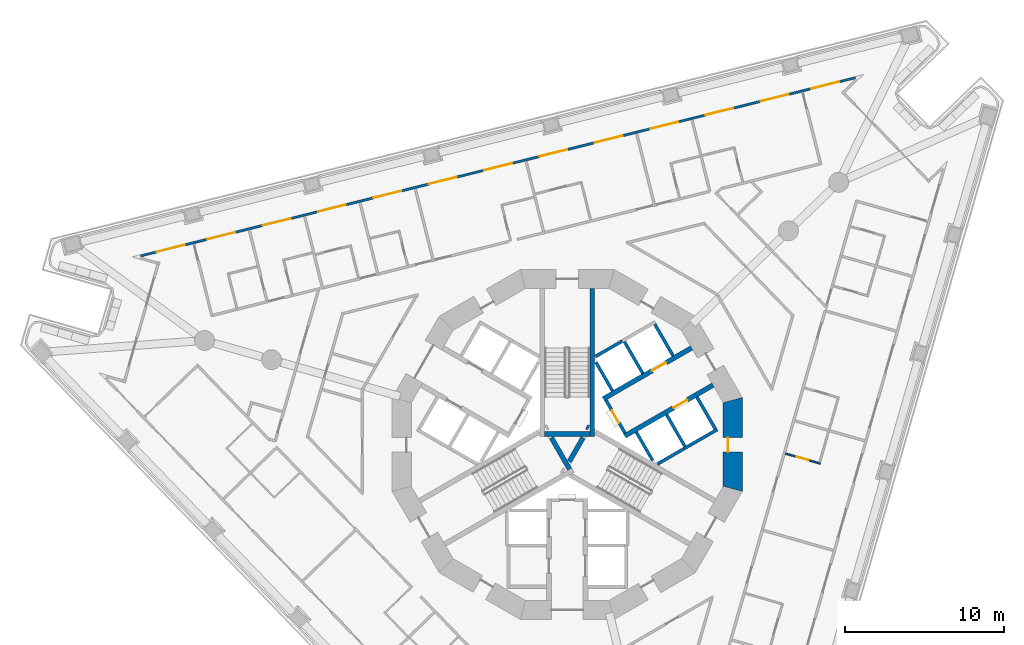
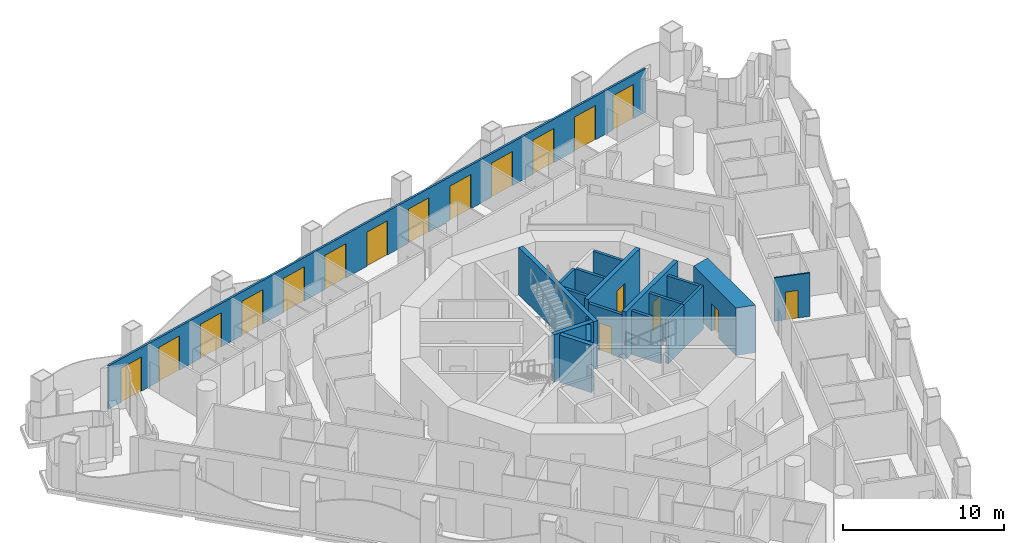
# One storey, part 8 of 18: 20 walls, 18 doors, 18 openings.
"""IFC4 building model written with IfcOpenShell, lengths in metres."""

from ifc_helpers import new_model, si_unit, direction, frame, frame_2d, origin, place, context, subcontext, project, spatial, polyline, rectangle, outline, extrude, material, layer, layer_set, type_object, element, fill, save


model = new_model("IFC4")

# Units and contexts
model_context = context("Model", 3, precision=1e-05, world=origin(), true_north=direction((0.0, 1.0)))
body_context = subcontext(model_context, "Body", "Model", "MODEL_VIEW")
ifc_project = project(units=[si_unit("LENGTHUNIT", "METRE"), si_unit("AREAUNIT", "SQUARE_METRE"), si_unit("VOLUMEUNIT", "CUBIC_METRE"), si_unit("PLANEANGLEUNIT", "RADIAN"), si_unit("MASSUNIT", "GRAM", prefix="KILO")], contexts=[model_context])

# Site, building, storey
site_placement = place(None, origin())
site = spatial("IfcSite", under=ifc_project, at=site_placement, CompositionType="ELEMENT")
building_placement = place(site_placement, origin())
building = spatial("IfcBuilding", under=site, at=building_placement, Name="Trine Commons Tower", CompositionType="ELEMENT")
storey_placement = place(building_placement, frame((0.0, 0.0, 90.89990234375)))
storey = spatial("IfcBuildingStorey", under=building, at=storey_placement, Name="L22", CompositionType="ELEMENT", Elevation=90.89990234375)

# Wall, openings, doors
ifc_material_1 = material(Name="Aluminium-framed insulated wall panel", Category="aluminium")
ifc_layer_1 = layer(ifc_material_1, 0.14990234375)
ifc_layer_set_1 = layer_set([ifc_layer_1], Name="Aluminium-framed insulated wall panel")
wall_type_1 = type_object("IfcWallType", Name="Glazed frame wall 150, EI 60", PredefinedType="SOLIDWALL", material=ifc_layer_set_1)
wall_1_placement = place(storey_placement, frame((53.01416015625, 74.326904296875, 0.0), z_axis=(0.0, 0.0, 1.0), x_axis=(0.970295935704, 0.24192105563, 0.0)))
wall_1 = element("IfcWall", 1, at=wall_1_placement, inside=storey, type_object=wall_type_1, Name="Glazed frame wall F1", PredefinedType="SOLIDWALL", context=body_context, shape_type="SweptSolid", body=[
    extrude(outline(polyline([(0.1494140625, 0.074951171875), (0.1494140625, -0.074951171875), (46.496826171875, -0.074951171875), (46.496826171875, 0.074951171875), (0.1494140625, 0.074951171875)])), origin(), (0.0, 0.0, 1.0), 3.300048828125),
])
opening_1_placement = place(wall_1_placement, frame((1.194091796875, 0.0, 0.0)))
opening_1 = element("IfcOpeningElement", 2, at=opening_1_placement, cuts=wall_1, Name="Opening BD-3F1-01", PredefinedType="OPENING", context=body_context, shape_type="SweptSolid", body=[
    extrude(rectangle(XDim=1.800048828125, YDim=2.60009765625, at=frame_2d((0.89990234375, 1.300048828125))), frame((0.0, 0.0849609375, 0.0), z_axis=(0.0, -1.0, 0.0), x_axis=(1.0, 0.0, 0.0)), (0.0, 0.0, 1.0), 0.169921875),
])
opening_2_placement = place(wall_1_placement, frame((4.482421875, 0.0, 0.0)))
opening_2 = element("IfcOpeningElement", 3, at=opening_2_placement, cuts=wall_1, Name="Opening BD-3F1-02", PredefinedType="OPENING", context=body_context, shape_type="SweptSolid", body=[
    extrude(rectangle(XDim=1.800048828125, YDim=2.60009765625, at=frame_2d((0.89990234375, 1.300048828125))), frame((0.0, 0.0849609375, 0.0), z_axis=(0.0, -1.0, 0.0), x_axis=(1.0, 0.0, 0.0)), (0.0, 0.0, 1.0), 0.169921875),
])
opening_3_placement = place(wall_1_placement, frame((8.070556640625, 0.0, 0.0)))
opening_3 = element("IfcOpeningElement", 4, at=opening_3_placement, cuts=wall_1, Name="Opening BD-3F1-03", PredefinedType="OPENING", context=body_context, shape_type="SweptSolid", body=[
    extrude(rectangle(XDim=1.800048828125, YDim=2.60009765625, at=frame_2d((0.89990234375, 1.300048828125))), frame((0.0, 0.0849609375, 0.0), z_axis=(0.0, -1.0, 0.0), x_axis=(1.0, 0.0, 0.0)), (0.0, 0.0, 1.0), 0.169921875),
])
opening_4_placement = place(wall_1_placement, frame((11.65869140625, 0.0, 0.0)))
opening_4 = element("IfcOpeningElement", 5, at=opening_4_placement, cuts=wall_1, Name="Opening BD-3F1-04", PredefinedType="OPENING", context=body_context, shape_type="SweptSolid", body=[
    extrude(rectangle(XDim=1.800048828125, YDim=2.60009765625, at=frame_2d((0.89990234375, 1.300048828125))), frame((0.0, 0.0849609375, 0.0), z_axis=(0.0, -1.0, 0.0), x_axis=(1.0, 0.0, 0.0)), (0.0, 0.0, 1.0), 0.169921875),
])
opening_5_placement = place(wall_1_placement, frame((15.246826171875, 0.0, 0.0)))
opening_5 = element("IfcOpeningElement", 6, at=opening_5_placement, cuts=wall_1, Name="Opening BD-3F1-05", PredefinedType="OPENING", context=body_context, shape_type="SweptSolid", body=[
    extrude(rectangle(XDim=1.800048828125, YDim=2.60009765625, at=frame_2d((0.89990234375, 1.300048828125))), frame((0.0, 0.0849609375, 0.0), z_axis=(0.0, -1.0, 0.0), x_axis=(1.0, 0.0, 0.0)), (0.0, 0.0, 1.0), 0.169921875),
])
opening_6_placement = place(wall_1_placement, frame((18.835205078125, 0.0, 0.0)))
opening_6 = element("IfcOpeningElement", 7, at=opening_6_placement, cuts=wall_1, Name="Opening BD-3F1-06", PredefinedType="OPENING", context=body_context, shape_type="SweptSolid", body=[
    extrude(rectangle(XDim=1.800048828125, YDim=2.60009765625, at=frame_2d((0.89990234375, 1.300048828125))), frame((0.0, 0.0849609375, 0.0), z_axis=(0.0, -1.0, 0.0), x_axis=(1.0, 0.0, 0.0)), (0.0, 0.0, 1.0), 0.169921875),
])
opening_7_placement = place(wall_1_placement, frame((22.42333984375, 0.0, 0.0)))
opening_7 = element("IfcOpeningElement", 8, at=opening_7_placement, cuts=wall_1, Name="Opening BD-3F1-07", PredefinedType="OPENING", context=body_context, shape_type="SweptSolid", body=[
    extrude(rectangle(XDim=1.800048828125, YDim=2.60009765625, at=frame_2d((0.89990234375, 1.300048828125))), frame((0.0, 0.0849609375, 0.0), z_axis=(0.0, -1.0, 0.0), x_axis=(1.0, 0.0, 0.0)), (0.0, 0.0, 1.0), 0.169921875),
])
opening_8_placement = place(wall_1_placement, frame((26.011474609375, 0.0, 0.0)))
opening_8 = element("IfcOpeningElement", 9, at=opening_8_placement, cuts=wall_1, Name="Opening BD-3F1-08", PredefinedType="OPENING", context=body_context, shape_type="SweptSolid", body=[
    extrude(rectangle(XDim=1.800048828125, YDim=2.60009765625, at=frame_2d((0.89990234375, 1.300048828125))), frame((0.0, 0.0849609375, 0.0), z_axis=(0.0, -1.0, 0.0), x_axis=(1.0, 0.0, 0.0)), (0.0, 0.0, 1.0), 0.169921875),
])
opening_9_placement = place(wall_1_placement, frame((29.599609375, 0.0, 0.0)))
opening_9 = element("IfcOpeningElement", 10, at=opening_9_placement, cuts=wall_1, Name="Opening BD-3F1-09", PredefinedType="OPENING", context=body_context, shape_type="SweptSolid", body=[
    extrude(rectangle(XDim=1.800048828125, YDim=2.60009765625, at=frame_2d((0.89990234375, 1.300048828125))), frame((0.0, 0.0849609375, 0.0), z_axis=(0.0, -1.0, 0.0), x_axis=(1.0, 0.0, 0.0)), (0.0, 0.0, 1.0), 0.169921875),
])
opening_10_placement = place(wall_1_placement, frame((33.18798828125, 0.0, 0.0)))
opening_10 = element("IfcOpeningElement", 11, at=opening_10_placement, cuts=wall_1, Name="Opening BD-3F1-10", PredefinedType="OPENING", context=body_context, shape_type="SweptSolid", body=[
    extrude(rectangle(XDim=1.800048828125, YDim=2.60009765625, at=frame_2d((0.89990234375, 1.300048828125))), frame((0.0, 0.0849609375, 0.0), z_axis=(0.0, -1.0, 0.0), x_axis=(1.0, 0.0, 0.0)), (0.0, 0.0, 1.0), 0.169921875),
])
opening_11_placement = place(wall_1_placement, frame((36.776123046875, 0.0, 0.0)))
opening_11 = element("IfcOpeningElement", 12, at=opening_11_placement, cuts=wall_1, Name="Opening BD-3F1-11", PredefinedType="OPENING", context=body_context, shape_type="SweptSolid", body=[
    extrude(rectangle(XDim=1.800048828125, YDim=2.60009765625, at=frame_2d((0.89990234375, 1.300048828125))), frame((0.0, 0.0849609375, 0.0), z_axis=(0.0, -1.0, 0.0), x_axis=(1.0, 0.0, 0.0)), (0.0, 0.0, 1.0), 0.169921875),
])
opening_12_placement = place(wall_1_placement, frame((40.3642578125, 0.0, 0.0)))
opening_12 = element("IfcOpeningElement", 13, at=opening_12_placement, cuts=wall_1, Name="Opening BD-3F1-12", PredefinedType="OPENING", context=body_context, shape_type="SweptSolid", body=[
    extrude(rectangle(XDim=1.800048828125, YDim=2.60009765625, at=frame_2d((0.89990234375, 1.300048828125))), frame((0.0, 0.0849609375, 0.0), z_axis=(0.0, -1.0, 0.0), x_axis=(1.0, 0.0, 0.0)), (0.0, 0.0, 1.0), 0.169921875),
])
opening_13_placement = place(wall_1_placement, frame((43.652587890625, 0.0, 0.0)))
opening_13 = element("IfcOpeningElement", 14, at=opening_13_placement, cuts=wall_1, Name="Opening BD-3F1-13", PredefinedType="OPENING", context=body_context, shape_type="SweptSolid", body=[
    extrude(rectangle(XDim=1.800048828125, YDim=2.60009765625, at=frame_2d((0.89990234375, 1.300048828125))), frame((0.0, 0.0849609375, 0.0), z_axis=(0.0, -1.0, 0.0), x_axis=(1.0, 0.0, 0.0)), (0.0, 0.0, 1.0), 0.169921875),
])
ifc_material_2 = material(Name="Anodised aluminium frame with double glazing", Category="aluminium")
door_type_1 = type_object("IfcDoorType", Name="Sliding loggia door 1800x2600", OperationType="SLIDING_TO_LEFT", PredefinedType="DOOR", material=ifc_material_2)
door_1_placement = place(opening_1_placement, origin())
door_1 = element("IfcDoor", 15, at=door_1_placement, inside=storey, type_object=door_type_1, Name="Loggia door F1 1", OperationType="SLIDING_TO_LEFT", OverallHeight=2.60009765625, OverallWidth=1.800048828125, PredefinedType="DOOR", context=body_context, shape_type="SweptSolid", body=[
    extrude(rectangle(XDim=1.800048828125, YDim=2.60009765625, at=frame_2d((0.89990234375, 1.300048828125))), frame((0.0, 0.02490234375, 0.0), z_axis=(0.0, -1.0, 0.0), x_axis=(1.0, 0.0, 0.0)), (0.0, 0.0, 1.0), 0.050048828125),
])
fill(opening_1, door_1)
door_2_placement = place(opening_2_placement, origin())
door_2 = element("IfcDoor", 16, at=door_2_placement, inside=storey, type_object=door_type_1, Name="Loggia door F1 2", OperationType="SLIDING_TO_LEFT", OverallHeight=2.60009765625, OverallWidth=1.800048828125, PredefinedType="DOOR", context=body_context, shape_type="SweptSolid", body=[
    extrude(rectangle(XDim=1.800048828125, YDim=2.60009765625, at=frame_2d((0.89990234375, 1.300048828125))), frame((0.0, 0.02490234375, 0.0), z_axis=(0.0, -1.0, 0.0), x_axis=(1.0, 0.0, 0.0)), (0.0, 0.0, 1.0), 0.050048828125),
])
fill(opening_2, door_2)
door_3_placement = place(opening_3_placement, origin())
door_3 = element("IfcDoor", 17, at=door_3_placement, inside=storey, type_object=door_type_1, Name="Loggia door F1 3", OperationType="SLIDING_TO_LEFT", OverallHeight=2.60009765625, OverallWidth=1.800048828125, PredefinedType="DOOR", context=body_context, shape_type="SweptSolid", body=[
    extrude(rectangle(XDim=1.800048828125, YDim=2.60009765625, at=frame_2d((0.89990234375, 1.300048828125))), frame((0.0, 0.02490234375, 0.0), z_axis=(0.0, -1.0, 0.0), x_axis=(1.0, 0.0, 0.0)), (0.0, 0.0, 1.0), 0.050048828125),
])
fill(opening_3, door_3)
door_4_placement = place(opening_4_placement, origin())
door_4 = element("IfcDoor", 18, at=door_4_placement, inside=storey, type_object=door_type_1, Name="Loggia door F1 4", OperationType="SLIDING_TO_LEFT", OverallHeight=2.60009765625, OverallWidth=1.800048828125, PredefinedType="DOOR", context=body_context, shape_type="SweptSolid", body=[
    extrude(rectangle(XDim=1.800048828125, YDim=2.60009765625, at=frame_2d((0.89990234375, 1.300048828125))), frame((0.0, 0.02490234375, 0.0), z_axis=(0.0, -1.0, 0.0), x_axis=(1.0, 0.0, 0.0)), (0.0, 0.0, 1.0), 0.050048828125),
])
fill(opening_4, door_4)
door_5_placement = place(opening_5_placement, origin())
door_5 = element("IfcDoor", 19, at=door_5_placement, inside=storey, type_object=door_type_1, Name="Loggia door F1 5", OperationType="SLIDING_TO_LEFT", OverallHeight=2.60009765625, OverallWidth=1.800048828125, PredefinedType="DOOR", context=body_context, shape_type="SweptSolid", body=[
    extrude(rectangle(XDim=1.800048828125, YDim=2.60009765625, at=frame_2d((0.89990234375, 1.300048828125))), frame((0.0, 0.02490234375, 0.0), z_axis=(0.0, -1.0, 0.0), x_axis=(1.0, 0.0, 0.0)), (0.0, 0.0, 1.0), 0.050048828125),
])
fill(opening_5, door_5)
door_6_placement = place(opening_6_placement, origin())
door_6 = element("IfcDoor", 20, at=door_6_placement, inside=storey, type_object=door_type_1, Name="Loggia door F1 6", OperationType="SLIDING_TO_LEFT", OverallHeight=2.60009765625, OverallWidth=1.800048828125, PredefinedType="DOOR", context=body_context, shape_type="SweptSolid", body=[
    extrude(rectangle(XDim=1.800048828125, YDim=2.60009765625, at=frame_2d((0.89990234375, 1.300048828125))), frame((0.0, 0.02490234375, 0.0), z_axis=(0.0, -1.0, 0.0), x_axis=(1.0, 0.0, 0.0)), (0.0, 0.0, 1.0), 0.050048828125),
])
fill(opening_6, door_6)
door_7_placement = place(opening_7_placement, origin())
door_7 = element("IfcDoor", 21, at=door_7_placement, inside=storey, type_object=door_type_1, Name="Loggia door F1 7", OperationType="SLIDING_TO_LEFT", OverallHeight=2.60009765625, OverallWidth=1.800048828125, PredefinedType="DOOR", context=body_context, shape_type="SweptSolid", body=[
    extrude(rectangle(XDim=1.800048828125, YDim=2.60009765625, at=frame_2d((0.89990234375, 1.300048828125))), frame((0.0, 0.02490234375, 0.0), z_axis=(0.0, -1.0, 0.0), x_axis=(1.0, 0.0, 0.0)), (0.0, 0.0, 1.0), 0.050048828125),
])
fill(opening_7, door_7)
door_8_placement = place(opening_8_placement, origin())
door_8 = element("IfcDoor", 22, at=door_8_placement, inside=storey, type_object=door_type_1, Name="Loggia door F1 8", OperationType="SLIDING_TO_LEFT", OverallHeight=2.60009765625, OverallWidth=1.800048828125, PredefinedType="DOOR", context=body_context, shape_type="SweptSolid", body=[
    extrude(rectangle(XDim=1.800048828125, YDim=2.60009765625, at=frame_2d((0.89990234375, 1.300048828125))), frame((0.0, 0.02490234375, 0.0), z_axis=(0.0, -1.0, 0.0), x_axis=(1.0, 0.0, 0.0)), (0.0, 0.0, 1.0), 0.050048828125),
])
fill(opening_8, door_8)
door_9_placement = place(opening_9_placement, origin())
door_9 = element("IfcDoor", 23, at=door_9_placement, inside=storey, type_object=door_type_1, Name="Loggia door F1 9", OperationType="SLIDING_TO_LEFT", OverallHeight=2.60009765625, OverallWidth=1.800048828125, PredefinedType="DOOR", context=body_context, shape_type="SweptSolid", body=[
    extrude(rectangle(XDim=1.800048828125, YDim=2.60009765625, at=frame_2d((0.89990234375, 1.300048828125))), frame((0.0, 0.02490234375, 0.0), z_axis=(0.0, -1.0, 0.0), x_axis=(1.0, 0.0, 0.0)), (0.0, 0.0, 1.0), 0.050048828125),
])
fill(opening_9, door_9)
door_10_placement = place(opening_10_placement, origin())
door_10 = element("IfcDoor", 24, at=door_10_placement, inside=storey, type_object=door_type_1, Name="Loggia door F1 10", OperationType="SLIDING_TO_LEFT", OverallHeight=2.60009765625, OverallWidth=1.800048828125, PredefinedType="DOOR", context=body_context, shape_type="SweptSolid", body=[
    extrude(rectangle(XDim=1.800048828125, YDim=2.60009765625, at=frame_2d((0.89990234375, 1.300048828125))), frame((0.0, 0.02490234375, 0.0), z_axis=(0.0, -1.0, 0.0), x_axis=(1.0, 0.0, 0.0)), (0.0, 0.0, 1.0), 0.050048828125),
])
fill(opening_10, door_10)
door_11_placement = place(opening_11_placement, origin())
door_11 = element("IfcDoor", 25, at=door_11_placement, inside=storey, type_object=door_type_1, Name="Loggia door F1 11", OperationType="SLIDING_TO_LEFT", OverallHeight=2.60009765625, OverallWidth=1.800048828125, PredefinedType="DOOR", context=body_context, shape_type="SweptSolid", body=[
    extrude(rectangle(XDim=1.800048828125, YDim=2.60009765625, at=frame_2d((0.89990234375, 1.300048828125))), frame((0.0, 0.02490234375, 0.0), z_axis=(0.0, -1.0, 0.0), x_axis=(1.0, 0.0, 0.0)), (0.0, 0.0, 1.0), 0.050048828125),
])
fill(opening_11, door_11)
door_12_placement = place(opening_12_placement, origin())
door_12 = element("IfcDoor", 26, at=door_12_placement, inside=storey, type_object=door_type_1, Name="Loggia door F1 12", OperationType="SLIDING_TO_LEFT", OverallHeight=2.60009765625, OverallWidth=1.800048828125, PredefinedType="DOOR", context=body_context, shape_type="SweptSolid", body=[
    extrude(rectangle(XDim=1.800048828125, YDim=2.60009765625, at=frame_2d((0.89990234375, 1.300048828125))), frame((0.0, 0.02490234375, 0.0), z_axis=(0.0, -1.0, 0.0), x_axis=(1.0, 0.0, 0.0)), (0.0, 0.0, 1.0), 0.050048828125),
])
fill(opening_12, door_12)
door_13_placement = place(opening_13_placement, origin())
door_13 = element("IfcDoor", 27, at=door_13_placement, inside=storey, type_object=door_type_1, Name="Loggia door F1 13", OperationType="SLIDING_TO_LEFT", OverallHeight=2.60009765625, OverallWidth=1.800048828125, PredefinedType="DOOR", context=body_context, shape_type="SweptSolid", body=[
    extrude(rectangle(XDim=1.800048828125, YDim=2.60009765625, at=frame_2d((0.89990234375, 1.300048828125))), frame((0.0, 0.02490234375, 0.0), z_axis=(0.0, -1.0, 0.0), x_axis=(1.0, 0.0, 0.0)), (0.0, 0.0, 1.0), 0.050048828125),
])
fill(opening_13, door_13)

# Wall, opening, door
ifc_material_3 = material(Name="Fire-rated gypsum shaft wall system")
ifc_layer_2 = layer(ifc_material_3, 0.199951171875)
ifc_layer_set_2 = layer_set([ifc_layer_2], Name="Fire-rated gypsum shaft wall system")
wall_type_2 = type_object("IfcWallType", Name="Lobby end wall 200 mm, EI 120", PredefinedType="PARTITIONING", material=ifc_layer_set_2)
wall_2_placement = place(storey_placement, frame((83.631103515625, 63.2109375, 0.0), z_axis=(0.0, 0.0, 1.0), x_axis=(-0.50012165622, 0.865955154139, 0.0)))
wall_2 = element("IfcWall", 28, at=wall_2_placement, inside=storey, type_object=wall_type_2, Name="Lobby end wall L22", PredefinedType="PARTITIONING", context=body_context, shape_type="SweptSolid", body=[
    extrude(rectangle(XDim=2.39990234375, YDim=0.199951171875, at=frame_2d((1.199951171875, 0.0))), origin(), (0.0, 0.0, 1.0), 3.300048828125),
])
opening_14_placement = place(wall_2_placement, frame((0.749755859375, 0.0, 0.0)))
opening_14 = element("IfcOpeningElement", 29, at=opening_14_placement, cuts=wall_2, Name="Opening K05.05", PredefinedType="OPENING", context=body_context, shape_type="SweptSolid", body=[
    extrude(rectangle(XDim=0.89990234375, YDim=2.10009765625, at=frame_2d((0.449951171875, 1.050048828125))), frame((0.0, 0.10986328125, 0.0), z_axis=(0.0, -1.0, 0.0), x_axis=(1.0, 0.0, 0.0)), (0.0, 0.0, 1.0), 0.219970703125),
])
ifc_material_4 = material(Name="Steel door leaf, fire-rated", Category="steel")
door_type_2 = type_object("IfcDoorType", Name="Riser access door, single leaf 900 x 2100, FD60", OperationType="SINGLE_SWING_LEFT", PredefinedType="DOOR", material=ifc_material_4)
door_14_placement = place(opening_14_placement, frame((0.89990234375, 0.0, 0.0), z_axis=(0.0, 0.0, 1.0), x_axis=(-1.0, 0.0, 0.0)))
door_14 = element("IfcDoor", 30, at=door_14_placement, inside=storey, type_object=door_type_2, Name="Riser door, Electrical riser L22", OperationType="SINGLE_SWING_LEFT", OverallHeight=2.10009765625, OverallWidth=0.89990234375, PredefinedType="DOOR", context=body_context, shape_type="SweptSolid", body=[
    extrude(rectangle(XDim=0.89990234375, YDim=2.10009765625, at=frame_2d((0.449951171875, 1.050048828125))), frame((0.0, 0.02490234375, 0.0), z_axis=(0.0, -1.0, 0.0), x_axis=(1.0, 0.0, 0.0)), (0.0, 0.0, 1.0), 0.050048828125),
])
fill(opening_14, door_14)

ifc_material_5 = material(Name="Concrete C70/85", Category="concrete")
ifc_layer_3 = layer(ifc_material_5, 1.199951171875)
ifc_layer_set_3 = layer_set([ifc_layer_3], Name="Concrete C70/85")
wall_type_3 = type_object("IfcWallType", Name="RC shear wall 1200 mm, C70/85", PredefinedType="SHEAR", material=ifc_layer_set_3)
wall_3_placement = place(storey_placement, frame((90.41162109375, 59.549560546875, 0.0), z_axis=(0.0, 0.0, 1.0), x_axis=(0.0, 1.0, 0.0)))
wall_3 = element("IfcWall", 31, at=wall_3_placement, inside=storey, type_object=wall_type_3, Name="Core wall CWC-01 L22", PredefinedType="SHEAR", context=body_context, shape_type="SweptSolid", body=[
    extrude(outline(polyline([(0.0, -0.60009765625), (5.90087890625, -0.60009765625), (5.57958984375, 0.60009765625), (0.321533203125, 0.60009765625), (0.0, -0.60009765625)])), origin(), (0.0, 0.0, 1.0), 3.60009765625),
])
opening_15_placement = place(wall_3_placement, frame((2.4755859375, 0.0, 0.0)))
opening_15 = element("IfcOpeningElement", 32, at=opening_15_placement, cuts=wall_3, Name="Opening K05.16", PredefinedType="OPENING", context=body_context, shape_type="SweptSolid", body=[
    extrude(rectangle(XDim=0.89990234375, YDim=2.10009765625, at=frame_2d((0.449951171875, 1.050048828125))), frame((0.0, 0.60986328125, 0.0), z_axis=(0.0, -1.0, 0.0), x_axis=(1.0, 0.0, 0.0)), (0.0, 0.0, 1.0), 1.219970703125),
])
door_type_3 = type_object("IfcDoorType", Name="Core room door, single leaf 900 x 2100, FD30S", OperationType="SINGLE_SWING_LEFT", PredefinedType="DOOR", material=ifc_material_4)
door_15_placement = place(opening_15_placement, origin())
door_15 = element("IfcDoor", 33, at=door_15_placement, inside=storey, type_object=door_type_3, Name="Door to Accessible WC L22", OperationType="SINGLE_SWING_LEFT", OverallHeight=2.10009765625, OverallWidth=0.89990234375, PredefinedType="DOOR", context=body_context, shape_type="SweptSolid", body=[
    extrude(rectangle(XDim=0.89990234375, YDim=2.10009765625, at=frame_2d((0.449951171875, 1.050048828125))), frame((0.0, 0.3251953125, 0.0), z_axis=(0.0, -1.0, 0.0), x_axis=(1.0, 0.0, 0.0)), (0.0, 0.0, 1.0), 0.050048828125),
])
fill(opening_15, door_15)

ifc_layer_4 = layer(ifc_material_5, 0.300048828125)
ifc_layer_set_4 = layer_set([ifc_layer_4], Name="Concrete C70/85")
wall_type_4 = type_object("IfcWallType", Name="RC shear wall 300 mm, C70/85", PredefinedType="SHEAR", material=ifc_layer_set_4)
wall_4_placement = place(storey_placement, frame((82.26904296875, 65.368896484375, 0.0), z_axis=(0.0, 0.0, 1.0), x_axis=(0.866022631842, 0.500004801114, 0.0)))
wall_4 = element("IfcWall", 34, at=wall_4_placement, inside=storey, type_object=wall_type_4, Name="Core cross wall SWA-05 L22", PredefinedType="SHEAR", context=body_context, shape_type="SweptSolid", body=[
    extrude(rectangle(XDim=6.412109375, YDim=0.300048828125, at=frame_2d((3.2060546875, 0.0))), origin(), (0.0, 0.0, 1.0), 3.60009765625),
])
opening_16_placement = place(wall_4_placement, frame((3.55029296875, 0.0, 0.0)))
opening_16 = element("IfcOpeningElement", 35, at=opening_16_placement, cuts=wall_4, Name="Opening LD1", PredefinedType="OPENING", context=body_context, shape_type="SweptSolid", body=[
    extrude(rectangle(XDim=1.0, YDim=2.10009765625, at=frame_2d((0.5, 1.050048828125))), frame((0.0, 0.159912109375, 0.0), z_axis=(0.0, -1.0, 0.0), x_axis=(1.0, 0.0, 0.0)), (0.0, 0.0, 1.0), 0.320068359375),
])
ifc_material_6 = material(Name="Stainless steel sliding door leaves", Category="steel")
door_type_4 = type_object("IfcDoorType", Name="Lift landing door, centre-opening sliding 1000 x 2100, FD90", OperationType="DOUBLE_DOOR_SLIDING", PredefinedType="DOOR", material=ifc_material_6)
door_16_placement = place(opening_16_placement, origin())
door_16 = element("IfcDoor", 36, at=door_16_placement, inside=storey, type_object=door_type_4, Name="Lift landing door LR1 L22", OperationType="DOUBLE_DOOR_SLIDING", OverallHeight=2.10009765625, OverallWidth=1.0, PredefinedType="DOOR", context=body_context, shape_type="SweptSolid", body=[
    extrude(rectangle(XDim=1.0, YDim=2.10009765625, at=frame_2d((0.5, 1.050048828125))), frame((0.0, 0.02490234375, 0.0), z_axis=(0.0, -1.0, 0.0), x_axis=(1.0, 0.0, 0.0)), (0.0, 0.0, 1.0), 0.050048828125),
])
fill(opening_16, door_16)

wall_5_placement = place(storey_placement, frame((83.618896484375, 63.031005859375, 0.0), z_axis=(0.0, 0.0, 1.0), x_axis=(0.866032150378, 0.499988314375, 0.0)))
wall_5 = element("IfcWall", 37, at=wall_5_placement, inside=storey, type_object=wall_type_4, Name="Core cross wall SWA-06 L22", PredefinedType="SHEAR", context=body_context, shape_type="SweptSolid", body=[
    extrude(rectangle(XDim=6.412353515625, YDim=0.300048828125, at=frame_2d((3.2060546875, 0.0))), origin(), (0.0, 0.0, 1.0), 3.60009765625),
])
opening_17_placement = place(wall_5_placement, frame((3.55029296875, 0.0, 0.0)))
opening_17 = element("IfcOpeningElement", 38, at=opening_17_placement, cuts=wall_5, Name="Opening LD2", PredefinedType="OPENING", context=body_context, shape_type="SweptSolid", body=[
    extrude(rectangle(XDim=1.0, YDim=2.10009765625, at=frame_2d((0.5, 1.050048828125))), frame((0.0, 0.159912109375, 0.0), z_axis=(0.0, -1.0, 0.0), x_axis=(1.0, 0.0, 0.0)), (0.0, 0.0, 1.0), 0.320068359375),
])
door_17_placement = place(opening_17_placement, origin())
door_17 = element("IfcDoor", 39, at=door_17_placement, inside=storey, type_object=door_type_4, Name="Lift landing door LR2 L22", OperationType="DOUBLE_DOOR_SLIDING", OverallHeight=2.10009765625, OverallWidth=1.0, PredefinedType="DOOR", context=body_context, shape_type="SweptSolid", body=[
    extrude(rectangle(XDim=1.0, YDim=2.10009765625, at=frame_2d((0.5, 1.050048828125))), frame((0.0, 0.02490234375, 0.0), z_axis=(0.0, -1.0, 0.0), x_axis=(1.0, 0.0, 0.0)), (0.0, 0.0, 1.0), 0.050048828125),
])
fill(opening_17, door_17)

# Walls
wall_6_placement = place(storey_placement, frame((79.0029296875, 62.926025390625, 0.0), z_axis=(0.0, 0.0, 1.0), x_axis=(0.499965247104, -0.866045467449, 0.0)))
element("IfcWall", 40, at=wall_6_placement, inside=storey, type_object=wall_type_4, Name="Core cross wall SWA-10 L22", PredefinedType="SHEAR", context=body_context, shape_type="SweptSolid", body=[
    extrude(rectangle(XDim=2.292236328125, YDim=0.300048828125, at=frame_2d((1.14599609375, 0.0))), origin(), (0.0, 0.0, 1.0), 3.60009765625),
])
wall_7_placement = place(storey_placement, frame((80.1298828125, 61.424072265625, 0.0), z_axis=(0.0, 0.0, 1.0), x_axis=(0.500014901547, 0.866016800201, 0.0)))
element("IfcWall", 41, at=wall_7_placement, inside=storey, type_object=wall_type_4, Name="Core cross wall SWA-12 L22", PredefinedType="SHEAR", context=body_context, shape_type="SweptSolid", body=[
    extrude(rectangle(XDim=1.734375, YDim=0.300048828125, at=frame_2d((0.8671875, 0.0))), origin(), (0.0, 0.0, 1.0), 3.60009765625),
])
wall_8_placement = place(storey_placement, frame((81.220947265625, 63.614013671875, 0.0), z_axis=(0.0, 0.0, 1.0), x_axis=(0.867737973955, -0.497021939713, 0.0)))
element("IfcWall", 42, at=wall_8_placement, inside=storey, type_object=wall_type_4, Name="Core cross wall SWA-15 L22", PredefinedType="SHEAR", context=body_context, shape_type="SweptSolid", body=[
    extrude(rectangle(XDim=0.14892578125, YDim=0.300048828125, at=frame_2d((0.074462890625, 0.0))), origin(), (0.0, 0.0, 1.0), 3.60009765625),
])
wall_9_placement = place(storey_placement, frame((81.425048828125, 63.15087890625, 0.0), z_axis=(0.0, 0.0, 1.0), x_axis=(-1.0, 0.0, 0.0)))
element("IfcWall", 43, at=wall_9_placement, inside=storey, type_object=wall_type_4, Name="Core cross wall SWA-16 L22", PredefinedType="SHEAR", context=body_context, shape_type="SweptSolid", body=[
    extrude(rectangle(XDim=2.85009765625, YDim=0.300048828125, at=frame_2d((1.425048828125, 0.0))), origin(), (0.0, 0.0, 1.0), 3.60009765625),
])
wall_10_placement = place(storey_placement, frame((81.574951171875, 63.0009765625, 0.0), z_axis=(0.0, 0.0, 1.0), x_axis=(0.0, 1.0, 0.0)))
element("IfcWall", 44, at=wall_10_placement, inside=storey, type_object=wall_type_4, Name="Core cross wall SWA-17 L22", PredefinedType="SHEAR", context=body_context, shape_type="SweptSolid", body=[
    extrude(rectangle(XDim=9.31103515625, YDim=0.300048828125, at=frame_2d((4.655517578125, 0.0))), origin(), (0.0, 0.0, 1.0), 3.60009765625),
])
ifc_layer_5 = layer(ifc_material_3, 0.199951171875)
ifc_layer_set_5 = layer_set([ifc_layer_5], Name="Fire-rated gypsum shaft wall system")
wall_type_5 = type_object("IfcWallType", Name="Shaft wall 200 mm, EI 120", PredefinedType="PARTITIONING", material=ifc_layer_set_5)
wall_11_placement = place(storey_placement, frame((81.77490234375, 68.028076171875, 0.0), z_axis=(0.0, 0.0, 1.0), x_axis=(0.866052014814, 0.499953905513, 0.0)))
element("IfcWall", 45, at=wall_11_placement, inside=storey, type_object=wall_type_5, Name="Shaft wall L22", PredefinedType="PARTITIONING", context=body_context, shape_type="SweptSolid", body=[
    extrude(rectangle(XDim=1.947998046875, YDim=0.199951171875, at=frame_2d((0.97412109375, 0.0))), origin(), (0.0, 0.0, 1.0), 3.300048828125),
])
wall_12_placement = place(storey_placement, frame((82.843994140625, 65.8740234375, 0.0), z_axis=(0.0, 0.0, 1.0), x_axis=(-0.499865770674, 0.866102887253, 0.0)))
element("IfcWall", 46, at=wall_12_placement, inside=storey, type_object=wall_type_5, Name="Shaft wall L22", PredefinedType="PARTITIONING", context=body_context, shape_type="SweptSolid", body=[
    extrude(rectangle(XDim=2.064453125, YDim=0.199951171875, at=frame_2d((1.0322265625, 0.0))), origin(), (0.0, 0.0, 1.0), 3.300048828125),
])
wall_13_placement = place(storey_placement, frame((84.343994140625, 63.27587890625, 0.0), z_axis=(0.0, 0.0, 1.0), x_axis=(0.500271688072, -0.86586848777, 0.0)))
element("IfcWall", 47, at=wall_13_placement, inside=storey, type_object=wall_type_5, Name="Shaft wall L22", PredefinedType="PARTITIONING", context=body_context, shape_type="SweptSolid", body=[
    extrude(rectangle(XDim=2.064697265625, YDim=0.199951171875, at=frame_2d((1.0322265625, 0.0))), origin(), (0.0, 0.0, 1.0), 3.300048828125),
])
wall_14_placement = place(storey_placement, frame((84.7490234375, 66.97412109375, 0.0), z_axis=(0.0, 0.0, 1.0), x_axis=(-0.500136062276, 0.86594683394, 0.0)))
element("IfcWall", 48, at=wall_14_placement, inside=storey, type_object=wall_type_5, Name="Shaft wall L22", PredefinedType="PARTITIONING", context=body_context, shape_type="SweptSolid", body=[
    extrude(rectangle(XDim=2.299072265625, YDim=0.199951171875, at=frame_2d((1.1494140625, 0.0))), origin(), (0.0, 0.0, 1.0), 3.300048828125),
])
wall_15_placement = place(storey_placement, frame((85.675048828125, 61.27294921875, 0.0), z_axis=(0.0, 0.0, 1.0), x_axis=(0.865780634835, 0.500423712812, 0.0)))
element("IfcWall", 49, at=wall_15_placement, inside=storey, type_object=wall_type_5, Name="Shaft wall L22", PredefinedType="PARTITIONING", context=body_context, shape_type="SweptSolid", body=[
    extrude(rectangle(XDim=1.948486328125, YDim=0.199951171875, at=frame_2d((0.97412109375, 0.0))), origin(), (0.0, 0.0, 1.0), 3.300048828125),
])
wall_16_placement = place(storey_placement, frame((86.2490234375, 64.3759765625, 0.0), z_axis=(0.0, 0.0, 1.0), x_axis=(0.500136062276, -0.86594683394, 0.0)))
element("IfcWall", 50, at=wall_16_placement, inside=storey, type_object=wall_type_5, Name="Shaft wall L22", PredefinedType="PARTITIONING", context=body_context, shape_type="SweptSolid", body=[
    extrude(rectangle(XDim=2.299072265625, YDim=0.199951171875, at=frame_2d((1.1494140625, 0.0))), origin(), (0.0, 0.0, 1.0), 3.300048828125),
])
wall_17_placement = place(storey_placement, frame((86.655029296875, 68.073974609375, 0.0), z_axis=(0.0, 0.0, 1.0), x_axis=(-0.500215680983, 0.865900844496, 0.0)))
element("IfcWall", 51, at=wall_17_placement, inside=storey, type_object=wall_type_5, Name="Shaft wall L22", PredefinedType="PARTITIONING", context=body_context, shape_type="SweptSolid", body=[
    extrude(rectangle(XDim=2.29931640625, YDim=0.199951171875, at=frame_2d((1.149658203125, 0.0))), origin(), (0.0, 0.0, 1.0), 3.300048828125),
])
wall_18_placement = place(storey_placement, frame((87.362060546875, 62.248046875, 0.0), z_axis=(0.0, 0.0, 1.0), x_axis=(0.866177122335, 0.499737123639, 0.0)))
element("IfcWall", 52, at=wall_18_placement, inside=storey, type_object=wall_type_5, Name="Shaft wall L22", PredefinedType="PARTITIONING", context=body_context, shape_type="SweptSolid", body=[
    extrude(rectangle(XDim=2.401123046875, YDim=0.199951171875, at=frame_2d((1.20068359375, 0.0))), origin(), (0.0, 0.0, 1.0), 3.300048828125),
])
wall_19_placement = place(storey_placement, frame((88.155029296875, 65.47607421875, 0.0), z_axis=(0.0, 0.0, 1.0), x_axis=(0.500136062276, -0.86594683394, 0.0)))
element("IfcWall", 53, at=wall_19_placement, inside=storey, type_object=wall_type_5, Name="Shaft wall L22", PredefinedType="PARTITIONING", context=body_context, shape_type="SweptSolid", body=[
    extrude(rectangle(XDim=2.299072265625, YDim=0.199951171875, at=frame_2d((1.1494140625, 0.0))), origin(), (0.0, 0.0, 1.0), 3.300048828125),
])

# Wall, opening, door
ifc_material_7 = material(Name="Gypsum plasterboard on steel stud", Category="steel")
ifc_layer_6 = layer(ifc_material_7, 0.10009765625)
ifc_layer_set_6 = layer_set([ifc_layer_6], Name="Gypsum plasterboard on steel stud")
wall_type_6 = type_object("IfcWallType", Name="Unit partition 100 mm, no rating", PredefinedType="PARTITIONING", material=ifc_layer_set_6)
wall_20_placement = place(storey_placement, frame((93.72900390625, 61.92529296875, 0.0), z_axis=(0.0, 0.0, 1.0), x_axis=(0.961252175385, -0.275670555767, 0.0)))
wall_20 = element("IfcWall", 54, at=wall_20_placement, inside=storey, type_object=wall_type_6, Name="Partition 116", PredefinedType="PARTITIONING", context=body_context, shape_type="SweptSolid", body=[
    extrude(rectangle(XDim=2.275146484375, YDim=0.10009765625, at=frame_2d((1.1376953125, 0.0))), origin(), (0.0, 0.0, 1.0), 3.300048828125),
])
opening_18_placement = place(wall_20_placement, frame((0.71240234375, 0.0, 0.0)))
opening_18 = element("IfcOpeningElement", 55, at=opening_18_placement, cuts=wall_20, Name="Opening D-3A47", PredefinedType="OPENING", context=body_context, shape_type="SweptSolid", body=[
    extrude(rectangle(XDim=0.800048828125, YDim=2.10009765625, at=frame_2d((0.39990234375, 1.050048828125))), frame((0.0, 0.06005859375, 0.0), z_axis=(0.0, -1.0, 0.0), x_axis=(1.0, 0.0, 0.0)), (0.0, 0.0, 1.0), 0.1201171875),
])
ifc_material_8 = material(Name="Painted timber", Category="wood")
door_type_5 = type_object("IfcDoorType", Name="Internal door 800 x 2100, NOT RATED", OperationType="NOTDEFINED", PredefinedType="DOOR", material=ifc_material_8)
door_18_placement = place(opening_18_placement, frame((0.800048828125, 0.0, 0.0), z_axis=(0.0, 0.0, 1.0), x_axis=(-1.0, 0.0, 0.0)))
door_18 = element("IfcDoor", 56, at=door_18_placement, inside=storey, type_object=door_type_5, Name="Door D-3A47", OperationType="SINGLE_SWING_RIGHT", OverallHeight=2.10009765625, OverallWidth=0.800048828125, PredefinedType="DOOR", context=body_context, shape_type="SweptSolid", body=[
    extrude(rectangle(XDim=0.800048828125, YDim=2.10009765625, at=frame_2d((0.39990234375, 1.050048828125))), frame((0.0, 0.02490234375, 0.0), z_axis=(0.0, -1.0, 0.0), x_axis=(1.0, 0.0, 0.0)), (0.0, 0.0, 1.0), 0.050048828125),
])
fill(opening_18, door_18)

save(model, "model.ifc")
